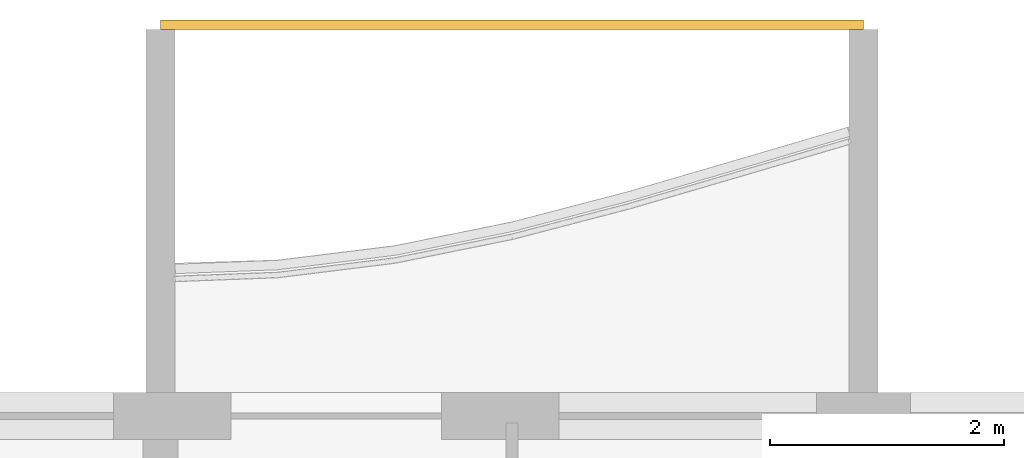
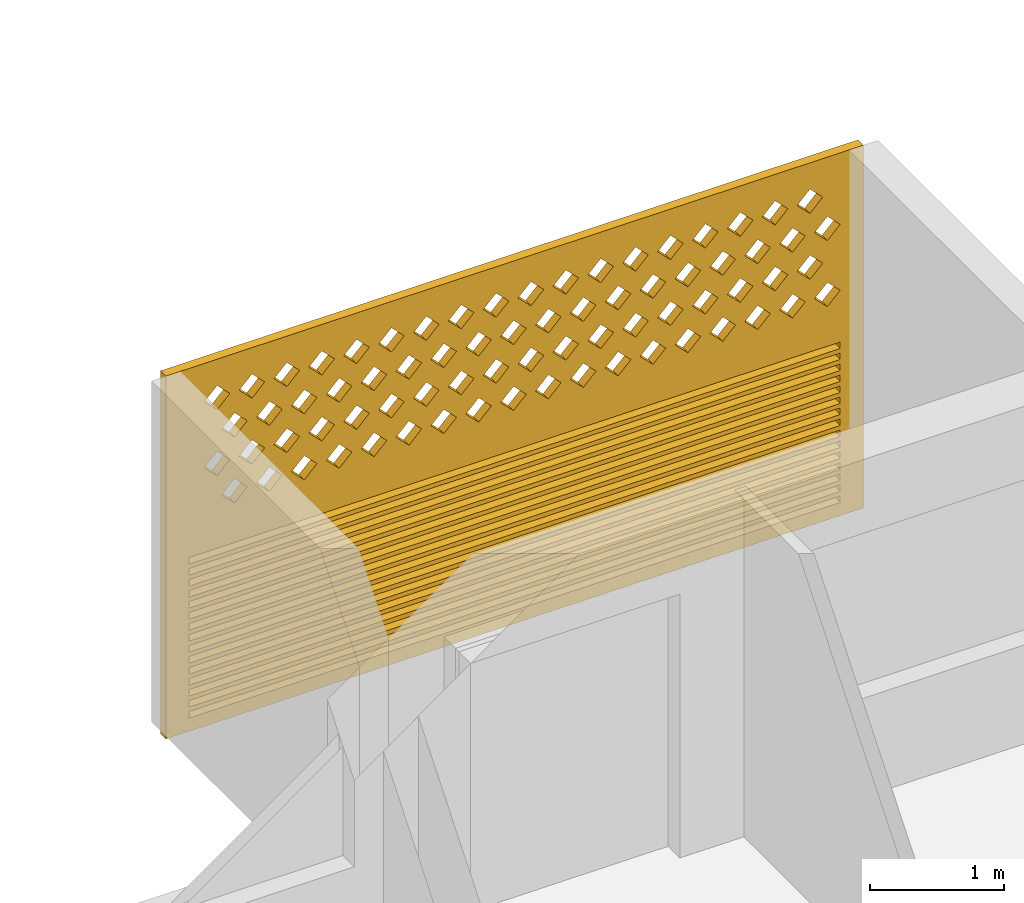
# One storey, part 27 of 33: 1 covering.
"""IFC4 building model written with IfcOpenShell, lengths in metres."""

from ifc_helpers import new_model, si_unit, direction, frame, origin, place, context, subcontext, project, spatial, polyline, outline, extrude, source, transform, mapped, material, material_profile, profile_set, type_object, element, save


model = new_model("IFC4")

# Units and contexts
model_context = context("Model", 3, precision=1e-05, world=origin(), true_north=direction((0.0, 1.0)))
body_context = subcontext(model_context, "Body", "Model", "MODEL_VIEW")
ifc_project = project(units=[si_unit("LENGTHUNIT", "METRE"), si_unit("AREAUNIT", "SQUARE_METRE"), si_unit("VOLUMEUNIT", "CUBIC_METRE"), si_unit("PLANEANGLEUNIT", "RADIAN"), si_unit("MASSUNIT", "GRAM", prefix="KILO")], contexts=[model_context])

# Site, building, storey
site_placement = place(None, origin())
site = spatial("IfcSite", under=ifc_project, at=site_placement, CompositionType="ELEMENT")
building_placement = place(site_placement, origin())
building = spatial("IfcBuilding", under=site, at=building_placement, Name="Poui Terraces", CompositionType="ELEMENT")
storey_placement = place(building_placement, frame((0.0, 0.0, 138.89990234375)))
storey = spatial("IfcBuildingStorey", under=building, at=storey_placement, Name="L38", CompositionType="ELEMENT", Elevation=138.89990234375)

# Covering
ifc_material = material(Name="Terracotta screen", Category="masonry")
ifc_material_profile = material_profile(ifc_material, outline(polyline([(-3.0, -1.64990234375), (3.0, -1.64990234375), (3.0, 1.64990234375), (-3.0, 1.64990234375), (-3.0, -1.64990234375)]), holes=[polyline([(-2.800048828125, 0.39990234375), (-2.68994140625, 0.2900390625), (-2.580078125, 0.39990234375), (-2.68994140625, 0.510009765625), (-2.800048828125, 0.39990234375)]), polyline([(-2.5, 0.39990234375), (-2.389892578125, 0.2900390625), (-2.280029296875, 0.39990234375), (-2.389892578125, 0.510009765625), (-2.5, 0.39990234375)]), polyline([(-2.199951171875, 0.39990234375), (-2.090087890625, 0.2900390625), (-1.97998046875, 0.39990234375), (-2.090087890625, 0.510009765625), (-2.199951171875, 0.39990234375)]), polyline([(-1.89990234375, 0.39990234375), (-1.7900390625, 0.2900390625), (-1.679931640625, 0.39990234375), (-1.7900390625, 0.510009765625), (-1.89990234375, 0.39990234375)]), polyline([(-1.60009765625, 0.39990234375), (-1.489990234375, 0.2900390625), (-1.3798828125, 0.39990234375), (-1.489990234375, 0.510009765625), (-1.60009765625, 0.39990234375)]), polyline([(-1.300048828125, 0.39990234375), (-1.18994140625, 0.2900390625), (-1.080078125, 0.39990234375), (-1.18994140625, 0.510009765625), (-1.300048828125, 0.39990234375)]), polyline([(-1.0, 0.39990234375), (-0.889892578125, 0.2900390625), (-0.780029296875, 0.39990234375), (-0.889892578125, 0.510009765625), (-1.0, 0.39990234375)]), polyline([(-0.699951171875, 0.39990234375), (-0.590087890625, 0.2900390625), (-0.47998046875, 0.39990234375), (-0.590087890625, 0.510009765625), (-0.699951171875, 0.39990234375)]), polyline([(-0.39990234375, 0.39990234375), (-0.2900390625, 0.2900390625), (-0.179931640625, 0.39990234375), (-0.2900390625, 0.510009765625), (-0.39990234375, 0.39990234375)]), polyline([(-0.10009765625, 0.39990234375), (0.010009765625, 0.2900390625), (0.1201171875, 0.39990234375), (0.010009765625, 0.510009765625), (-0.10009765625, 0.39990234375)]), polyline([(0.199951171875, 0.39990234375), (0.31005859375, 0.2900390625), (0.419921875, 0.39990234375), (0.31005859375, 0.510009765625), (0.199951171875, 0.39990234375)]), polyline([(0.5, 0.39990234375), (0.610107421875, 0.2900390625), (0.719970703125, 0.39990234375), (0.610107421875, 0.510009765625), (0.5, 0.39990234375)]), polyline([(0.800048828125, 0.39990234375), (0.909912109375, 0.2900390625), (1.02001953125, 0.39990234375), (0.909912109375, 0.510009765625), (0.800048828125, 0.39990234375)]), polyline([(1.10009765625, 0.39990234375), (1.2099609375, 0.2900390625), (1.320068359375, 0.39990234375), (1.2099609375, 0.510009765625), (1.10009765625, 0.39990234375)]), polyline([(1.39990234375, 0.39990234375), (1.510009765625, 0.2900390625), (1.6201171875, 0.39990234375), (1.510009765625, 0.510009765625), (1.39990234375, 0.39990234375)]), polyline([(1.699951171875, 0.39990234375), (1.81005859375, 0.2900390625), (1.919921875, 0.39990234375), (1.81005859375, 0.510009765625), (1.699951171875, 0.39990234375)]), polyline([(2.0, 0.39990234375), (2.110107421875, 0.2900390625), (2.219970703125, 0.39990234375), (2.110107421875, 0.510009765625), (2.0, 0.39990234375)]), polyline([(2.300048828125, 0.39990234375), (2.409912109375, 0.2900390625), (2.52001953125, 0.39990234375), (2.409912109375, 0.510009765625), (2.300048828125, 0.39990234375)]), polyline([(-2.64990234375, 0.699951171875), (-2.5400390625, 0.590087890625), (-2.429931640625, 0.699951171875), (-2.5400390625, 0.81005859375), (-2.64990234375, 0.699951171875)]), polyline([(-2.35009765625, 0.699951171875), (-2.239990234375, 0.590087890625), (-2.1298828125, 0.699951171875), (-2.239990234375, 0.81005859375), (-2.35009765625, 0.699951171875)]), polyline([(-2.050048828125, 0.699951171875), (-1.93994140625, 0.590087890625), (-1.830078125, 0.699951171875), (-1.93994140625, 0.81005859375), (-2.050048828125, 0.699951171875)]), polyline([(-1.75, 0.699951171875), (-1.639892578125, 0.590087890625), (-1.530029296875, 0.699951171875), (-1.639892578125, 0.81005859375), (-1.75, 0.699951171875)]), polyline([(-1.449951171875, 0.699951171875), (-1.340087890625, 0.590087890625), (-1.22998046875, 0.699951171875), (-1.340087890625, 0.81005859375), (-1.449951171875, 0.699951171875)]), polyline([(-1.14990234375, 0.699951171875), (-1.0400390625, 0.590087890625), (-0.929931640625, 0.699951171875), (-1.0400390625, 0.81005859375), (-1.14990234375, 0.699951171875)]), polyline([(-0.85009765625, 0.699951171875), (-0.739990234375, 0.590087890625), (-0.6298828125, 0.699951171875), (-0.739990234375, 0.81005859375), (-0.85009765625, 0.699951171875)]), polyline([(-0.550048828125, 0.699951171875), (-0.43994140625, 0.590087890625), (-0.330078125, 0.699951171875), (-0.43994140625, 0.81005859375), (-0.550048828125, 0.699951171875)]), polyline([(-0.25, 0.699951171875), (-0.139892578125, 0.590087890625), (-0.030029296875, 0.699951171875), (-0.139892578125, 0.81005859375), (-0.25, 0.699951171875)]), polyline([(0.050048828125, 0.699951171875), (0.159912109375, 0.590087890625), (0.27001953125, 0.699951171875), (0.159912109375, 0.81005859375), (0.050048828125, 0.699951171875)]), polyline([(0.35009765625, 0.699951171875), (0.4599609375, 0.590087890625), (0.570068359375, 0.699951171875), (0.4599609375, 0.81005859375), (0.35009765625, 0.699951171875)]), polyline([(0.64990234375, 0.699951171875), (0.760009765625, 0.590087890625), (0.8701171875, 0.699951171875), (0.760009765625, 0.81005859375), (0.64990234375, 0.699951171875)]), polyline([(0.949951171875, 0.699951171875), (1.06005859375, 0.590087890625), (1.169921875, 0.699951171875), (1.06005859375, 0.81005859375), (0.949951171875, 0.699951171875)]), polyline([(1.25, 0.699951171875), (1.360107421875, 0.590087890625), (1.469970703125, 0.699951171875), (1.360107421875, 0.81005859375), (1.25, 0.699951171875)]), polyline([(1.550048828125, 0.699951171875), (1.659912109375, 0.590087890625), (1.77001953125, 0.699951171875), (1.659912109375, 0.81005859375), (1.550048828125, 0.699951171875)]), polyline([(1.85009765625, 0.699951171875), (1.9599609375, 0.590087890625), (2.070068359375, 0.699951171875), (1.9599609375, 0.81005859375), (1.85009765625, 0.699951171875)]), polyline([(2.14990234375, 0.699951171875), (2.260009765625, 0.590087890625), (2.3701171875, 0.699951171875), (2.260009765625, 0.81005859375), (2.14990234375, 0.699951171875)]), polyline([(2.449951171875, 0.699951171875), (2.56005859375, 0.590087890625), (2.669921875, 0.699951171875), (2.56005859375, 0.81005859375), (2.449951171875, 0.699951171875)]), polyline([(-2.800048828125, 1.0), (-2.68994140625, 0.889892578125), (-2.580078125, 1.0), (-2.68994140625, 1.110107421875), (-2.800048828125, 1.0)]), polyline([(-2.5, 1.0), (-2.389892578125, 0.889892578125), (-2.280029296875, 1.0), (-2.389892578125, 1.110107421875), (-2.5, 1.0)]), polyline([(-2.199951171875, 1.0), (-2.090087890625, 0.889892578125), (-1.97998046875, 1.0), (-2.090087890625, 1.110107421875), (-2.199951171875, 1.0)]), polyline([(-1.89990234375, 1.0), (-1.7900390625, 0.889892578125), (-1.679931640625, 1.0), (-1.7900390625, 1.110107421875), (-1.89990234375, 1.0)]), polyline([(-1.60009765625, 1.0), (-1.489990234375, 0.889892578125), (-1.3798828125, 1.0), (-1.489990234375, 1.110107421875), (-1.60009765625, 1.0)]), polyline([(-1.300048828125, 1.0), (-1.18994140625, 0.889892578125), (-1.080078125, 1.0), (-1.18994140625, 1.110107421875), (-1.300048828125, 1.0)]), polyline([(-1.0, 1.0), (-0.889892578125, 0.889892578125), (-0.780029296875, 1.0), (-0.889892578125, 1.110107421875), (-1.0, 1.0)]), polyline([(-0.699951171875, 1.0), (-0.590087890625, 0.889892578125), (-0.47998046875, 1.0), (-0.590087890625, 1.110107421875), (-0.699951171875, 1.0)]), polyline([(-0.39990234375, 1.0), (-0.2900390625, 0.889892578125), (-0.179931640625, 1.0), (-0.2900390625, 1.110107421875), (-0.39990234375, 1.0)]), polyline([(-0.10009765625, 1.0), (0.010009765625, 0.889892578125), (0.1201171875, 1.0), (0.010009765625, 1.110107421875), (-0.10009765625, 1.0)]), polyline([(0.199951171875, 1.0), (0.31005859375, 0.889892578125), (0.419921875, 1.0), (0.31005859375, 1.110107421875), (0.199951171875, 1.0)]), polyline([(0.5, 1.0), (0.610107421875, 0.889892578125), (0.719970703125, 1.0), (0.610107421875, 1.110107421875), (0.5, 1.0)]), polyline([(0.800048828125, 1.0), (0.909912109375, 0.889892578125), (1.02001953125, 1.0), (0.909912109375, 1.110107421875), (0.800048828125, 1.0)]), polyline([(1.10009765625, 1.0), (1.2099609375, 0.889892578125), (1.320068359375, 1.0), (1.2099609375, 1.110107421875), (1.10009765625, 1.0)]), polyline([(1.39990234375, 1.0), (1.510009765625, 0.889892578125), (1.6201171875, 1.0), (1.510009765625, 1.110107421875), (1.39990234375, 1.0)]), polyline([(1.699951171875, 1.0), (1.81005859375, 0.889892578125), (1.919921875, 1.0), (1.81005859375, 1.110107421875), (1.699951171875, 1.0)]), polyline([(2.0, 1.0), (2.110107421875, 0.889892578125), (2.219970703125, 1.0), (2.110107421875, 1.110107421875), (2.0, 1.0)]), polyline([(2.300048828125, 1.0), (2.409912109375, 0.889892578125), (2.52001953125, 1.0), (2.409912109375, 1.110107421875), (2.300048828125, 1.0)]), polyline([(-2.64990234375, 1.300048828125), (-2.5400390625, 1.18994140625), (-2.429931640625, 1.300048828125), (-2.5400390625, 1.409912109375), (-2.64990234375, 1.300048828125)]), polyline([(-2.35009765625, 1.300048828125), (-2.239990234375, 1.18994140625), (-2.1298828125, 1.300048828125), (-2.239990234375, 1.409912109375), (-2.35009765625, 1.300048828125)]), polyline([(-2.050048828125, 1.300048828125), (-1.93994140625, 1.18994140625), (-1.830078125, 1.300048828125), (-1.93994140625, 1.409912109375), (-2.050048828125, 1.300048828125)]), polyline([(-1.75, 1.300048828125), (-1.639892578125, 1.18994140625), (-1.530029296875, 1.300048828125), (-1.639892578125, 1.409912109375), (-1.75, 1.300048828125)]), polyline([(-1.449951171875, 1.300048828125), (-1.340087890625, 1.18994140625), (-1.22998046875, 1.300048828125), (-1.340087890625, 1.409912109375), (-1.449951171875, 1.300048828125)]), polyline([(-1.14990234375, 1.300048828125), (-1.0400390625, 1.18994140625), (-0.929931640625, 1.300048828125), (-1.0400390625, 1.409912109375), (-1.14990234375, 1.300048828125)]), polyline([(-0.85009765625, 1.300048828125), (-0.739990234375, 1.18994140625), (-0.6298828125, 1.300048828125), (-0.739990234375, 1.409912109375), (-0.85009765625, 1.300048828125)]), polyline([(-0.550048828125, 1.300048828125), (-0.43994140625, 1.18994140625), (-0.330078125, 1.300048828125), (-0.43994140625, 1.409912109375), (-0.550048828125, 1.300048828125)]), polyline([(-0.25, 1.300048828125), (-0.139892578125, 1.18994140625), (-0.030029296875, 1.300048828125), (-0.139892578125, 1.409912109375), (-0.25, 1.300048828125)]), polyline([(0.050048828125, 1.300048828125), (0.159912109375, 1.18994140625), (0.27001953125, 1.300048828125), (0.159912109375, 1.409912109375), (0.050048828125, 1.300048828125)]), polyline([(0.35009765625, 1.300048828125), (0.4599609375, 1.18994140625), (0.570068359375, 1.300048828125), (0.4599609375, 1.409912109375), (0.35009765625, 1.300048828125)]), polyline([(0.64990234375, 1.300048828125), (0.760009765625, 1.18994140625), (0.8701171875, 1.300048828125), (0.760009765625, 1.409912109375), (0.64990234375, 1.300048828125)]), polyline([(0.949951171875, 1.300048828125), (1.06005859375, 1.18994140625), (1.169921875, 1.300048828125), (1.06005859375, 1.409912109375), (0.949951171875, 1.300048828125)]), polyline([(1.25, 1.300048828125), (1.360107421875, 1.18994140625), (1.469970703125, 1.300048828125), (1.360107421875, 1.409912109375), (1.25, 1.300048828125)]), polyline([(1.550048828125, 1.300048828125), (1.659912109375, 1.18994140625), (1.77001953125, 1.300048828125), (1.659912109375, 1.409912109375), (1.550048828125, 1.300048828125)]), polyline([(1.85009765625, 1.300048828125), (1.9599609375, 1.18994140625), (2.070068359375, 1.300048828125), (1.9599609375, 1.409912109375), (1.85009765625, 1.300048828125)]), polyline([(2.14990234375, 1.300048828125), (2.260009765625, 1.18994140625), (2.3701171875, 1.300048828125), (2.260009765625, 1.409912109375), (2.14990234375, 1.300048828125)]), polyline([(2.449951171875, 1.300048828125), (2.56005859375, 1.18994140625), (2.669921875, 1.300048828125), (2.56005859375, 1.409912109375), (2.449951171875, 1.300048828125)]), polyline([(-2.800048828125, -1.530029296875), (2.800048828125, -1.530029296875), (2.800048828125, -1.469970703125), (-2.800048828125, -1.469970703125), (-2.800048828125, -1.530029296875)]), polyline([(-2.800048828125, -1.429931640625), (2.800048828125, -1.429931640625), (2.800048828125, -1.3701171875), (-2.800048828125, -1.3701171875), (-2.800048828125, -1.429931640625)]), polyline([(-2.800048828125, -1.330078125), (2.800048828125, -1.330078125), (2.800048828125, -1.27001953125), (-2.800048828125, -1.27001953125), (-2.800048828125, -1.330078125)]), polyline([(-2.800048828125, -1.22998046875), (2.800048828125, -1.22998046875), (2.800048828125, -1.169921875), (-2.800048828125, -1.169921875), (-2.800048828125, -1.22998046875)]), polyline([(-2.800048828125, -1.1298828125), (2.800048828125, -1.1298828125), (2.800048828125, -1.070068359375), (-2.800048828125, -1.070068359375), (-2.800048828125, -1.1298828125)]), polyline([(-2.800048828125, -1.030029296875), (2.800048828125, -1.030029296875), (2.800048828125, -0.969970703125), (-2.800048828125, -0.969970703125), (-2.800048828125, -1.030029296875)]), polyline([(-2.800048828125, -0.929931640625), (2.800048828125, -0.929931640625), (2.800048828125, -0.8701171875), (-2.800048828125, -0.8701171875), (-2.800048828125, -0.929931640625)]), polyline([(-2.800048828125, -0.830078125), (2.800048828125, -0.830078125), (2.800048828125, -0.77001953125), (-2.800048828125, -0.77001953125), (-2.800048828125, -0.830078125)]), polyline([(-2.800048828125, -0.72998046875), (2.800048828125, -0.72998046875), (2.800048828125, -0.669921875), (-2.800048828125, -0.669921875), (-2.800048828125, -0.72998046875)]), polyline([(-2.800048828125, -0.6298828125), (2.800048828125, -0.6298828125), (2.800048828125, -0.570068359375), (-2.800048828125, -0.570068359375), (-2.800048828125, -0.6298828125)]), polyline([(-2.800048828125, -0.530029296875), (2.800048828125, -0.530029296875), (2.800048828125, -0.469970703125), (-2.800048828125, -0.469970703125), (-2.800048828125, -0.530029296875)]), polyline([(-2.800048828125, -0.429931640625), (2.800048828125, -0.429931640625), (2.800048828125, -0.3701171875), (-2.800048828125, -0.3701171875), (-2.800048828125, -0.429931640625)]), polyline([(-2.800048828125, -0.330078125), (2.800048828125, -0.330078125), (2.800048828125, -0.27001953125), (-2.800048828125, -0.27001953125), (-2.800048828125, -0.330078125)]), polyline([(-2.800048828125, -0.22998046875), (2.800048828125, -0.22998046875), (2.800048828125, -0.169921875), (-2.800048828125, -0.169921875), (-2.800048828125, -0.22998046875)]), polyline([(-2.800048828125, -0.1298828125), (2.800048828125, -0.1298828125), (2.800048828125, -0.070068359375), (-2.800048828125, -0.070068359375), (-2.800048828125, -0.1298828125)])]), Name="TERRACOTTA SCREEN AND JALOUSIE LOUVRE 6000X3300")
ifc_profile_set = profile_set([ifc_material_profile], Name="Terracotta screen")
covering_type = type_object("IfcCoveringType", Name="TERRACOTTA SCREEN AND JALOUSIE LOUVRE 6000X3300", PredefinedType="CLADDING", material=ifc_profile_set)
shared_shape = source(origin(), body_context, "Body", "SweptSolid", [
    extrude(outline(polyline([(-3.0, -1.64990234375), (3.0, -1.64990234375), (3.0, 1.64990234375), (-3.0, 1.64990234375), (-3.0, -1.64990234375)]), holes=[polyline([(-2.800048828125, 0.39990234375), (-2.68994140625, 0.2900390625), (-2.580078125, 0.39990234375), (-2.68994140625, 0.510009765625), (-2.800048828125, 0.39990234375)]), polyline([(-2.5, 0.39990234375), (-2.389892578125, 0.2900390625), (-2.280029296875, 0.39990234375), (-2.389892578125, 0.510009765625), (-2.5, 0.39990234375)]), polyline([(-2.199951171875, 0.39990234375), (-2.090087890625, 0.2900390625), (-1.97998046875, 0.39990234375), (-2.090087890625, 0.510009765625), (-2.199951171875, 0.39990234375)]), polyline([(-1.89990234375, 0.39990234375), (-1.7900390625, 0.2900390625), (-1.679931640625, 0.39990234375), (-1.7900390625, 0.510009765625), (-1.89990234375, 0.39990234375)]), polyline([(-1.60009765625, 0.39990234375), (-1.489990234375, 0.2900390625), (-1.3798828125, 0.39990234375), (-1.489990234375, 0.510009765625), (-1.60009765625, 0.39990234375)]), polyline([(-1.300048828125, 0.39990234375), (-1.18994140625, 0.2900390625), (-1.080078125, 0.39990234375), (-1.18994140625, 0.510009765625), (-1.300048828125, 0.39990234375)]), polyline([(-1.0, 0.39990234375), (-0.889892578125, 0.2900390625), (-0.780029296875, 0.39990234375), (-0.889892578125, 0.510009765625), (-1.0, 0.39990234375)]), polyline([(-0.699951171875, 0.39990234375), (-0.590087890625, 0.2900390625), (-0.47998046875, 0.39990234375), (-0.590087890625, 0.510009765625), (-0.699951171875, 0.39990234375)]), polyline([(-0.39990234375, 0.39990234375), (-0.2900390625, 0.2900390625), (-0.179931640625, 0.39990234375), (-0.2900390625, 0.510009765625), (-0.39990234375, 0.39990234375)]), polyline([(-0.10009765625, 0.39990234375), (0.010009765625, 0.2900390625), (0.1201171875, 0.39990234375), (0.010009765625, 0.510009765625), (-0.10009765625, 0.39990234375)]), polyline([(0.199951171875, 0.39990234375), (0.31005859375, 0.2900390625), (0.419921875, 0.39990234375), (0.31005859375, 0.510009765625), (0.199951171875, 0.39990234375)]), polyline([(0.5, 0.39990234375), (0.610107421875, 0.2900390625), (0.719970703125, 0.39990234375), (0.610107421875, 0.510009765625), (0.5, 0.39990234375)]), polyline([(0.800048828125, 0.39990234375), (0.909912109375, 0.2900390625), (1.02001953125, 0.39990234375), (0.909912109375, 0.510009765625), (0.800048828125, 0.39990234375)]), polyline([(1.10009765625, 0.39990234375), (1.2099609375, 0.2900390625), (1.320068359375, 0.39990234375), (1.2099609375, 0.510009765625), (1.10009765625, 0.39990234375)]), polyline([(1.39990234375, 0.39990234375), (1.510009765625, 0.2900390625), (1.6201171875, 0.39990234375), (1.510009765625, 0.510009765625), (1.39990234375, 0.39990234375)]), polyline([(1.699951171875, 0.39990234375), (1.81005859375, 0.2900390625), (1.919921875, 0.39990234375), (1.81005859375, 0.510009765625), (1.699951171875, 0.39990234375)]), polyline([(2.0, 0.39990234375), (2.110107421875, 0.2900390625), (2.219970703125, 0.39990234375), (2.110107421875, 0.510009765625), (2.0, 0.39990234375)]), polyline([(2.300048828125, 0.39990234375), (2.409912109375, 0.2900390625), (2.52001953125, 0.39990234375), (2.409912109375, 0.510009765625), (2.300048828125, 0.39990234375)]), polyline([(-2.64990234375, 0.699951171875), (-2.5400390625, 0.590087890625), (-2.429931640625, 0.699951171875), (-2.5400390625, 0.81005859375), (-2.64990234375, 0.699951171875)]), polyline([(-2.35009765625, 0.699951171875), (-2.239990234375, 0.590087890625), (-2.1298828125, 0.699951171875), (-2.239990234375, 0.81005859375), (-2.35009765625, 0.699951171875)]), polyline([(-2.050048828125, 0.699951171875), (-1.93994140625, 0.590087890625), (-1.830078125, 0.699951171875), (-1.93994140625, 0.81005859375), (-2.050048828125, 0.699951171875)]), polyline([(-1.75, 0.699951171875), (-1.639892578125, 0.590087890625), (-1.530029296875, 0.699951171875), (-1.639892578125, 0.81005859375), (-1.75, 0.699951171875)]), polyline([(-1.449951171875, 0.699951171875), (-1.340087890625, 0.590087890625), (-1.22998046875, 0.699951171875), (-1.340087890625, 0.81005859375), (-1.449951171875, 0.699951171875)]), polyline([(-1.14990234375, 0.699951171875), (-1.0400390625, 0.590087890625), (-0.929931640625, 0.699951171875), (-1.0400390625, 0.81005859375), (-1.14990234375, 0.699951171875)]), polyline([(-0.85009765625, 0.699951171875), (-0.739990234375, 0.590087890625), (-0.6298828125, 0.699951171875), (-0.739990234375, 0.81005859375), (-0.85009765625, 0.699951171875)]), polyline([(-0.550048828125, 0.699951171875), (-0.43994140625, 0.590087890625), (-0.330078125, 0.699951171875), (-0.43994140625, 0.81005859375), (-0.550048828125, 0.699951171875)]), polyline([(-0.25, 0.699951171875), (-0.139892578125, 0.590087890625), (-0.030029296875, 0.699951171875), (-0.139892578125, 0.81005859375), (-0.25, 0.699951171875)]), polyline([(0.050048828125, 0.699951171875), (0.159912109375, 0.590087890625), (0.27001953125, 0.699951171875), (0.159912109375, 0.81005859375), (0.050048828125, 0.699951171875)]), polyline([(0.35009765625, 0.699951171875), (0.4599609375, 0.590087890625), (0.570068359375, 0.699951171875), (0.4599609375, 0.81005859375), (0.35009765625, 0.699951171875)]), polyline([(0.64990234375, 0.699951171875), (0.760009765625, 0.590087890625), (0.8701171875, 0.699951171875), (0.760009765625, 0.81005859375), (0.64990234375, 0.699951171875)]), polyline([(0.949951171875, 0.699951171875), (1.06005859375, 0.590087890625), (1.169921875, 0.699951171875), (1.06005859375, 0.81005859375), (0.949951171875, 0.699951171875)]), polyline([(1.25, 0.699951171875), (1.360107421875, 0.590087890625), (1.469970703125, 0.699951171875), (1.360107421875, 0.81005859375), (1.25, 0.699951171875)]), polyline([(1.550048828125, 0.699951171875), (1.659912109375, 0.590087890625), (1.77001953125, 0.699951171875), (1.659912109375, 0.81005859375), (1.550048828125, 0.699951171875)]), polyline([(1.85009765625, 0.699951171875), (1.9599609375, 0.590087890625), (2.070068359375, 0.699951171875), (1.9599609375, 0.81005859375), (1.85009765625, 0.699951171875)]), polyline([(2.14990234375, 0.699951171875), (2.260009765625, 0.590087890625), (2.3701171875, 0.699951171875), (2.260009765625, 0.81005859375), (2.14990234375, 0.699951171875)]), polyline([(2.449951171875, 0.699951171875), (2.56005859375, 0.590087890625), (2.669921875, 0.699951171875), (2.56005859375, 0.81005859375), (2.449951171875, 0.699951171875)]), polyline([(-2.800048828125, 1.0), (-2.68994140625, 0.889892578125), (-2.580078125, 1.0), (-2.68994140625, 1.110107421875), (-2.800048828125, 1.0)]), polyline([(-2.5, 1.0), (-2.389892578125, 0.889892578125), (-2.280029296875, 1.0), (-2.389892578125, 1.110107421875), (-2.5, 1.0)]), polyline([(-2.199951171875, 1.0), (-2.090087890625, 0.889892578125), (-1.97998046875, 1.0), (-2.090087890625, 1.110107421875), (-2.199951171875, 1.0)]), polyline([(-1.89990234375, 1.0), (-1.7900390625, 0.889892578125), (-1.679931640625, 1.0), (-1.7900390625, 1.110107421875), (-1.89990234375, 1.0)]), polyline([(-1.60009765625, 1.0), (-1.489990234375, 0.889892578125), (-1.3798828125, 1.0), (-1.489990234375, 1.110107421875), (-1.60009765625, 1.0)]), polyline([(-1.300048828125, 1.0), (-1.18994140625, 0.889892578125), (-1.080078125, 1.0), (-1.18994140625, 1.110107421875), (-1.300048828125, 1.0)]), polyline([(-1.0, 1.0), (-0.889892578125, 0.889892578125), (-0.780029296875, 1.0), (-0.889892578125, 1.110107421875), (-1.0, 1.0)]), polyline([(-0.699951171875, 1.0), (-0.590087890625, 0.889892578125), (-0.47998046875, 1.0), (-0.590087890625, 1.110107421875), (-0.699951171875, 1.0)]), polyline([(-0.39990234375, 1.0), (-0.2900390625, 0.889892578125), (-0.179931640625, 1.0), (-0.2900390625, 1.110107421875), (-0.39990234375, 1.0)]), polyline([(-0.10009765625, 1.0), (0.010009765625, 0.889892578125), (0.1201171875, 1.0), (0.010009765625, 1.110107421875), (-0.10009765625, 1.0)]), polyline([(0.199951171875, 1.0), (0.31005859375, 0.889892578125), (0.419921875, 1.0), (0.31005859375, 1.110107421875), (0.199951171875, 1.0)]), polyline([(0.5, 1.0), (0.610107421875, 0.889892578125), (0.719970703125, 1.0), (0.610107421875, 1.110107421875), (0.5, 1.0)]), polyline([(0.800048828125, 1.0), (0.909912109375, 0.889892578125), (1.02001953125, 1.0), (0.909912109375, 1.110107421875), (0.800048828125, 1.0)]), polyline([(1.10009765625, 1.0), (1.2099609375, 0.889892578125), (1.320068359375, 1.0), (1.2099609375, 1.110107421875), (1.10009765625, 1.0)]), polyline([(1.39990234375, 1.0), (1.510009765625, 0.889892578125), (1.6201171875, 1.0), (1.510009765625, 1.110107421875), (1.39990234375, 1.0)]), polyline([(1.699951171875, 1.0), (1.81005859375, 0.889892578125), (1.919921875, 1.0), (1.81005859375, 1.110107421875), (1.699951171875, 1.0)]), polyline([(2.0, 1.0), (2.110107421875, 0.889892578125), (2.219970703125, 1.0), (2.110107421875, 1.110107421875), (2.0, 1.0)]), polyline([(2.300048828125, 1.0), (2.409912109375, 0.889892578125), (2.52001953125, 1.0), (2.409912109375, 1.110107421875), (2.300048828125, 1.0)]), polyline([(-2.64990234375, 1.300048828125), (-2.5400390625, 1.18994140625), (-2.429931640625, 1.300048828125), (-2.5400390625, 1.409912109375), (-2.64990234375, 1.300048828125)]), polyline([(-2.35009765625, 1.300048828125), (-2.239990234375, 1.18994140625), (-2.1298828125, 1.300048828125), (-2.239990234375, 1.409912109375), (-2.35009765625, 1.300048828125)]), polyline([(-2.050048828125, 1.300048828125), (-1.93994140625, 1.18994140625), (-1.830078125, 1.300048828125), (-1.93994140625, 1.409912109375), (-2.050048828125, 1.300048828125)]), polyline([(-1.75, 1.300048828125), (-1.639892578125, 1.18994140625), (-1.530029296875, 1.300048828125), (-1.639892578125, 1.409912109375), (-1.75, 1.300048828125)]), polyline([(-1.449951171875, 1.300048828125), (-1.340087890625, 1.18994140625), (-1.22998046875, 1.300048828125), (-1.340087890625, 1.409912109375), (-1.449951171875, 1.300048828125)]), polyline([(-1.14990234375, 1.300048828125), (-1.0400390625, 1.18994140625), (-0.929931640625, 1.300048828125), (-1.0400390625, 1.409912109375), (-1.14990234375, 1.300048828125)]), polyline([(-0.85009765625, 1.300048828125), (-0.739990234375, 1.18994140625), (-0.6298828125, 1.300048828125), (-0.739990234375, 1.409912109375), (-0.85009765625, 1.300048828125)]), polyline([(-0.550048828125, 1.300048828125), (-0.43994140625, 1.18994140625), (-0.330078125, 1.300048828125), (-0.43994140625, 1.409912109375), (-0.550048828125, 1.300048828125)]), polyline([(-0.25, 1.300048828125), (-0.139892578125, 1.18994140625), (-0.030029296875, 1.300048828125), (-0.139892578125, 1.409912109375), (-0.25, 1.300048828125)]), polyline([(0.050048828125, 1.300048828125), (0.159912109375, 1.18994140625), (0.27001953125, 1.300048828125), (0.159912109375, 1.409912109375), (0.050048828125, 1.300048828125)]), polyline([(0.35009765625, 1.300048828125), (0.4599609375, 1.18994140625), (0.570068359375, 1.300048828125), (0.4599609375, 1.409912109375), (0.35009765625, 1.300048828125)]), polyline([(0.64990234375, 1.300048828125), (0.760009765625, 1.18994140625), (0.8701171875, 1.300048828125), (0.760009765625, 1.409912109375), (0.64990234375, 1.300048828125)]), polyline([(0.949951171875, 1.300048828125), (1.06005859375, 1.18994140625), (1.169921875, 1.300048828125), (1.06005859375, 1.409912109375), (0.949951171875, 1.300048828125)]), polyline([(1.25, 1.300048828125), (1.360107421875, 1.18994140625), (1.469970703125, 1.300048828125), (1.360107421875, 1.409912109375), (1.25, 1.300048828125)]), polyline([(1.550048828125, 1.300048828125), (1.659912109375, 1.18994140625), (1.77001953125, 1.300048828125), (1.659912109375, 1.409912109375), (1.550048828125, 1.300048828125)]), polyline([(1.85009765625, 1.300048828125), (1.9599609375, 1.18994140625), (2.070068359375, 1.300048828125), (1.9599609375, 1.409912109375), (1.85009765625, 1.300048828125)]), polyline([(2.14990234375, 1.300048828125), (2.260009765625, 1.18994140625), (2.3701171875, 1.300048828125), (2.260009765625, 1.409912109375), (2.14990234375, 1.300048828125)]), polyline([(2.449951171875, 1.300048828125), (2.56005859375, 1.18994140625), (2.669921875, 1.300048828125), (2.56005859375, 1.409912109375), (2.449951171875, 1.300048828125)]), polyline([(-2.800048828125, -1.530029296875), (2.800048828125, -1.530029296875), (2.800048828125, -1.469970703125), (-2.800048828125, -1.469970703125), (-2.800048828125, -1.530029296875)]), polyline([(-2.800048828125, -1.429931640625), (2.800048828125, -1.429931640625), (2.800048828125, -1.3701171875), (-2.800048828125, -1.3701171875), (-2.800048828125, -1.429931640625)]), polyline([(-2.800048828125, -1.330078125), (2.800048828125, -1.330078125), (2.800048828125, -1.27001953125), (-2.800048828125, -1.27001953125), (-2.800048828125, -1.330078125)]), polyline([(-2.800048828125, -1.22998046875), (2.800048828125, -1.22998046875), (2.800048828125, -1.169921875), (-2.800048828125, -1.169921875), (-2.800048828125, -1.22998046875)]), polyline([(-2.800048828125, -1.1298828125), (2.800048828125, -1.1298828125), (2.800048828125, -1.070068359375), (-2.800048828125, -1.070068359375), (-2.800048828125, -1.1298828125)]), polyline([(-2.800048828125, -1.030029296875), (2.800048828125, -1.030029296875), (2.800048828125, -0.969970703125), (-2.800048828125, -0.969970703125), (-2.800048828125, -1.030029296875)]), polyline([(-2.800048828125, -0.929931640625), (2.800048828125, -0.929931640625), (2.800048828125, -0.8701171875), (-2.800048828125, -0.8701171875), (-2.800048828125, -0.929931640625)]), polyline([(-2.800048828125, -0.830078125), (2.800048828125, -0.830078125), (2.800048828125, -0.77001953125), (-2.800048828125, -0.77001953125), (-2.800048828125, -0.830078125)]), polyline([(-2.800048828125, -0.72998046875), (2.800048828125, -0.72998046875), (2.800048828125, -0.669921875), (-2.800048828125, -0.669921875), (-2.800048828125, -0.72998046875)]), polyline([(-2.800048828125, -0.6298828125), (2.800048828125, -0.6298828125), (2.800048828125, -0.570068359375), (-2.800048828125, -0.570068359375), (-2.800048828125, -0.6298828125)]), polyline([(-2.800048828125, -0.530029296875), (2.800048828125, -0.530029296875), (2.800048828125, -0.469970703125), (-2.800048828125, -0.469970703125), (-2.800048828125, -0.530029296875)]), polyline([(-2.800048828125, -0.429931640625), (2.800048828125, -0.429931640625), (2.800048828125, -0.3701171875), (-2.800048828125, -0.3701171875), (-2.800048828125, -0.429931640625)]), polyline([(-2.800048828125, -0.330078125), (2.800048828125, -0.330078125), (2.800048828125, -0.27001953125), (-2.800048828125, -0.27001953125), (-2.800048828125, -0.330078125)]), polyline([(-2.800048828125, -0.22998046875), (2.800048828125, -0.22998046875), (2.800048828125, -0.169921875), (-2.800048828125, -0.169921875), (-2.800048828125, -0.22998046875)]), polyline([(-2.800048828125, -0.1298828125), (2.800048828125, -0.1298828125), (2.800048828125, -0.070068359375), (-2.800048828125, -0.070068359375), (-2.800048828125, -0.1298828125)])]), origin(), (0.0, 0.0, 1.0), 0.080078125),
])
covering_placement = place(storey_placement, frame((57.0, 45.699951171875, 1.4501953125), z_axis=(0.0, 1.0, 0.0), x_axis=(-1.0, 0.0, 0.0)))
element("IfcCovering", 1, at=covering_placement, inside=storey, type_object=covering_type, Name="SOLAR SCREEN AND JALOUSIE LOUVRE", PredefinedType="CLADDING", context=body_context, shape_type="MappedRepresentation", body=[
    mapped(shared_shape, transform((0.0, 0.0, 0.0))),
])

save(model, "model.ifc")
